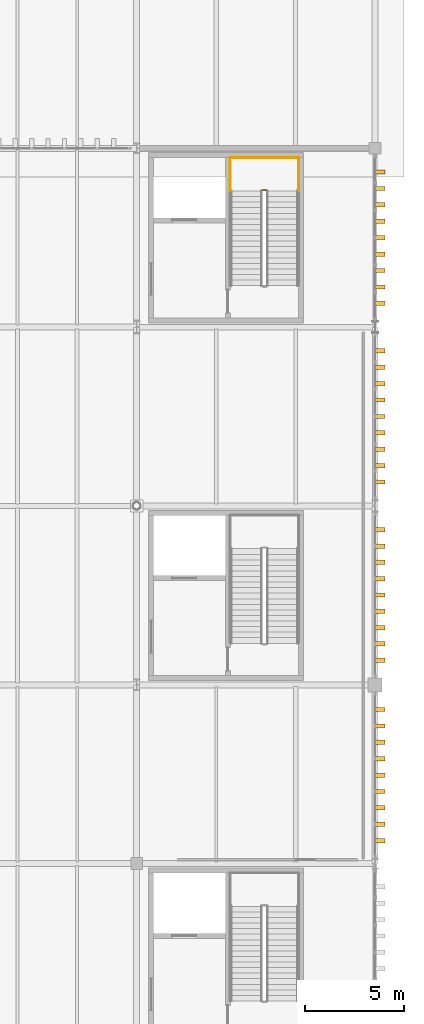
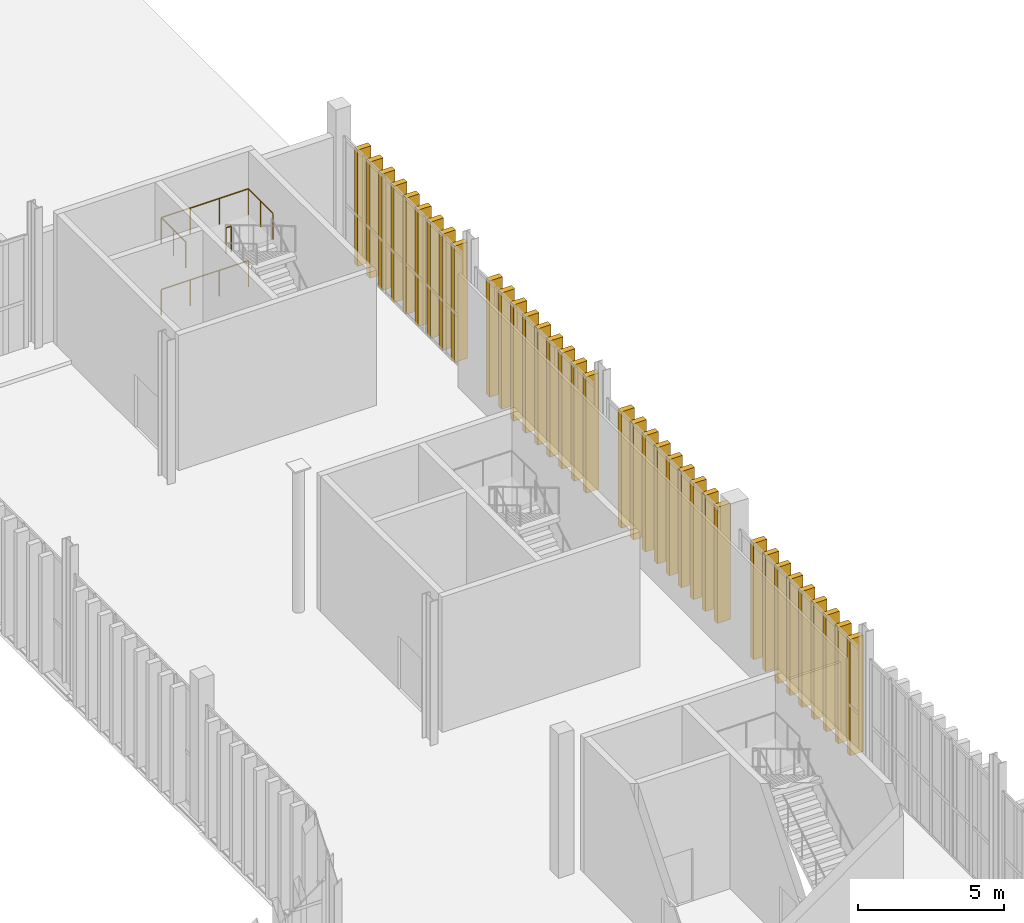
# One storey, part 234 of 237: 36 shading devices, 5 railings.
"""IFC4 building model written with IfcOpenShell, lengths in metres."""

from ifc_helpers import new_model, si_unit, direction, frame, origin, origin_2d, place, context, subcontext, project, spatial, rectangle, circle, extrude, material, type_object, element, save


model = new_model("IFC4")

# Units and contexts
model_context = context("Model", 3, precision=1e-05, world=origin(), true_north=direction((0.0, 1.0)))
body_context = subcontext(model_context, "Body", "Model", "MODEL_VIEW")
ifc_project = project(units=[si_unit("LENGTHUNIT", "METRE"), si_unit("AREAUNIT", "SQUARE_METRE"), si_unit("VOLUMEUNIT", "CUBIC_METRE"), si_unit("PLANEANGLEUNIT", "RADIAN"), si_unit("MASSUNIT", "GRAM", prefix="KILO")], contexts=[model_context])

# Site, building, storey
site_placement = place(None, origin())
site = spatial("IfcSite", under=ifc_project, at=site_placement, CompositionType="ELEMENT")
building_placement = place(site_placement, origin())
building = spatial("IfcBuilding", under=site, at=building_placement, Name="Barlavento Convention Centre", CompositionType="ELEMENT")
storey_placement = place(building_placement, frame((0.0, 0.0, 12.0)))
storey = spatial("IfcBuildingStorey", under=building, at=storey_placement, Name="L02", CompositionType="ELEMENT", Elevation=12.0)

# Railings
ifc_material_1 = material(Name="Stainless steel and laminated glass balustrade", Category="steel")
railing_type = type_object("IfcRailingType", Name="ARC-RAL-BAL-1100", PredefinedType="BALUSTRADE", material=ifc_material_1)
railing_placement = place(storey_placement, frame((186.530029296875, 96.89990234375, 3.0)))
element("IfcRailing", 1, at=railing_placement, inside=storey, type_object=railing_type, Name="L02 ST08 stair guard 2", PredefinedType="BALUSTRADE", context=body_context, shape_type="SweptSolid", body=[
    extrude(circle(Radius=0.02392578125, at=origin_2d()), frame((0.0, 0.0, 1.076171875), z_axis=(-1.0, 0.0, 0.0), x_axis=(0.0, -1.0, 0.0)), (0.0, 0.0, 1.0), 0.199951171875),
    extrude(circle(Radius=0.02099609375, at=origin_2d()), origin(), (0.0, 0.0, 1.0), 1.052001953125),
    extrude(circle(Radius=0.02099609375, at=origin_2d()), frame((-0.199951171875, 0.0, 0.0)), (0.0, 0.0, 1.0), 1.052001953125),
])
for number, where, name in (
    (2, (188.14990234375, 96.85009765625, 3.0), "L02 landing guard GR01"),
    (3, (184.7099609375, 96.85009765625, 3.0), "L02 landing guard GR01"),
):
    element("IfcRailing", number, at=place(storey_placement, frame(where)), inside=storey, type_object=railing_type, Name=name, PredefinedType="BALUSTRADE", context=body_context, shape_type="SweptSolid", body=[
        extrude(circle(Radius=0.02392578125, at=origin_2d()), frame((0.0, 0.0, 1.076171875), z_axis=(0.0, 1.0, 0.0), x_axis=(-1.0, 0.0, 0.0)), (0.0, 0.0, 1.0), 1.679931640625),
        extrude(circle(Radius=0.02099609375, at=origin_2d()), origin(), (0.0, 0.0, 1.0), 1.052001953125),
        extrude(circle(Radius=0.02099609375, at=origin_2d()), frame((0.0, 0.83984375, 0.0)), (0.0, 0.0, 1.0), 1.052001953125),
        extrude(circle(Radius=0.02099609375, at=origin_2d()), frame((0.0, 1.679931640625, 0.0)), (0.0, 0.0, 1.0), 1.052001953125),
    ])
for number, where, name in (
    (4, (188.14990234375, 98.530029296875, 3.0), "L02 landing guard GR01"),
    (5, (188.14990234375, 98.530029296875, 0.0), "L02 stairwell perimeter guard GR01"),
):
    element("IfcRailing", number, at=place(storey_placement, frame(where)), inside=storey, type_object=railing_type, Name=name, PredefinedType="BALUSTRADE", context=body_context, shape_type="SweptSolid", body=[
        extrude(circle(Radius=0.02392578125, at=origin_2d()), frame((0.0, 0.0, 1.076171875), z_axis=(-1.0, 0.0, 0.0), x_axis=(0.0, -1.0, 0.0)), (0.0, 0.0, 1.0), 3.43994140625),
        extrude(circle(Radius=0.02099609375, at=origin_2d()), origin(), (0.0, 0.0, 1.0), 1.052001953125),
        extrude(circle(Radius=0.02099609375, at=origin_2d()), frame((-1.146728515625, 0.0, 0.0)), (0.0, 0.0, 1.0), 1.052001953125),
        extrude(circle(Radius=0.02099609375, at=origin_2d()), frame((-2.293212890625, 0.0, 0.0)), (0.0, 0.0, 1.0), 1.052001953125),
        extrude(circle(Radius=0.02099609375, at=origin_2d()), frame((-3.43994140625, 0.0, 0.0)), (0.0, 0.0, 1.0), 1.052001953125),
    ])

# Shading devices
ifc_material_2 = material(Name="PVDF white extruded aluminium", Category="aluminium")
shading_device_type = type_object("IfcShadingDeviceType", Name="ARC-SHD-FIN-480", PredefinedType="USERDEFINED", material=ifc_material_2)
for number, where, z_axis, x_axis, name in (
    (6, (192.239990234375, 64.15673828125, 0.0), (0.0, 0.0, 1.0), (0.0, 1.0, 0.0), "White vertical solar shading fin VF01"),
    (7, (192.239990234375, 64.981689453125, 0.0), (0.0, 0.0, 1.0), (0.0, 1.0, 0.0), "White vertical solar shading fin VF01"),
    (8, (192.239990234375, 65.806396484375, 0.0), (0.0, 0.0, 1.0), (0.0, 1.0, 0.0), "White vertical solar shading fin VF01"),
    (9, (192.239990234375, 66.631103515625, 0.0), (0.0, 0.0, 1.0), (0.0, 1.0, 0.0), "White vertical solar shading fin VF01"),
    (10, (192.239990234375, 67.4560546875, 0.0), (0.0, 0.0, 1.0), (0.0, 1.0, 0.0), "White vertical solar shading fin VF01"),
    (11, (192.239990234375, 68.28076171875, 0.0), (0.0, 0.0, 1.0), (0.0, 1.0, 0.0), "White vertical solar shading fin VF01"),
    (12, (192.239990234375, 69.105712890625, 0.0), (0.0, 0.0, 1.0), (0.0, 1.0, 0.0), "White vertical solar shading fin VF01"),
    (13, (192.239990234375, 69.930419921875, 0.0), (0.0, 0.0, 1.0), (0.0, 1.0, 0.0), "White vertical solar shading fin VF01"),
    (14, (192.239990234375, 70.755126953125, 0.0), (0.0, 0.0, 1.0), (0.0, 1.0, 0.0), "White vertical solar shading fin VF01"),
    (15, (192.239990234375, 73.239990234375, 0.0), (0.0, 0.0, 1.0), (0.0, 1.0, 0.0), "White vertical solar shading fin VF01"),
    (16, (192.239990234375, 74.06005859375, 0.0), (0.0, 0.0, 1.0), (0.0, 1.0, 0.0), "White vertical solar shading fin VF01"),
    (17, (192.239990234375, 74.8798828125, 0.0), (0.0, 0.0, 1.0), (0.0, 1.0, 0.0), "White vertical solar shading fin VF01"),
    (18, (192.239990234375, 75.699951171875, 0.0), (0.0, 0.0, 1.0), (0.0, 1.0, 0.0), "White vertical solar shading fin VF01"),
    (19, (192.239990234375, 76.52001953125, 0.0), (0.0, 0.0, 1.0), (0.0, 1.0, 0.0), "White vertical solar shading fin VF01"),
    (20, (192.239990234375, 77.340087890625, 0.0), (0.0, 0.0, 1.0), (0.0, 1.0, 0.0), "White vertical solar shading fin VF01"),
    (21, (192.239990234375, 78.159912109375, 0.0), (0.0, 0.0, 1.0), (0.0, 1.0, 0.0), "White vertical solar shading fin VF01"),
    (22, (192.239990234375, 78.97998046875, 0.0), (0.0, 0.0, 1.0), (0.0, 1.0, 0.0), "White vertical solar shading fin VF01"),
    (23, (192.239990234375, 79.800048828125, 0.0), (0.0, 0.0, 1.0), (0.0, 1.0, 0.0), "White vertical solar shading fin VF01"),
    (24, (192.239990234375, 82.205078125, 0.0), (0.0, 0.0, 1.0), (0.0, 1.0, 0.0), "White vertical solar shading fin VF01"),
    (25, (192.239990234375, 83.030029296875, 0.0), (0.0, 0.0, 1.0), (0.0, 1.0, 0.0), "White vertical solar shading fin VF01"),
    (26, (192.239990234375, 83.85498046875, 0.0), (0.0, 0.0, 1.0), (0.0, 1.0, 0.0), "White vertical solar shading fin VF01"),
    (27, (192.239990234375, 84.679931640625, 0.0), (0.0, 0.0, 1.0), (0.0, 1.0, 0.0), "White vertical solar shading fin VF01"),
    (28, (192.239990234375, 85.5048828125, 0.0), (0.0, 0.0, 1.0), (0.0, 1.0, 0.0), "White vertical solar shading fin VF01"),
    (29, (192.239990234375, 86.330078125, 0.0), (0.0, 0.0, 1.0), (0.0, 1.0, 0.0), "White vertical solar shading fin VF01"),
    (30, (192.239990234375, 87.155029296875, 0.0), (0.0, 0.0, 1.0), (0.0, 1.0, 0.0), "White vertical solar shading fin VF01"),
    (31, (192.239990234375, 87.97998046875, 0.0), (0.0, 0.0, 1.0), (0.0, 1.0, 0.0), "White vertical solar shading fin VF01"),
    (32, (192.239990234375, 88.804931640625, 0.0), (0.0, 0.0, 1.0), (0.0, 1.0, 0.0), "White vertical solar shading fin VF01"),
    (33, (192.239990234375, 91.196044921875, 0.0), (0.0, 0.0, 1.0), (0.0, 1.0, 0.0), "White vertical solar shading fin VF01"),
    (34, (192.239990234375, 92.02197265625, 0.0), (0.0, 0.0, 1.0), (0.0, 1.0, 0.0), "White vertical solar shading fin VF01"),
    (35, (192.239990234375, 92.847900390625, 0.0), (0.0, 0.0, 1.0), (0.0, 1.0, 0.0), "White vertical solar shading fin VF01"),
    (36, (192.239990234375, 93.674072265625, 0.0), (0.0, 0.0, 1.0), (0.0, 1.0, 0.0), "White vertical solar shading fin VF01"),
    (37, (192.239990234375, 94.5, 0.0), (0.0, 0.0, 1.0), (0.0, 1.0, 0.0), "White vertical solar shading fin VF01"),
    (38, (192.239990234375, 95.325927734375, 0.0), (0.0, 0.0, 1.0), (0.0, 1.0, 0.0), "White vertical solar shading fin VF01"),
    (39, (192.239990234375, 96.152099609375, 0.0), (0.0, 0.0, 1.0), (0.0, 1.0, 0.0), "White vertical solar shading fin VF01"),
    (40, (192.239990234375, 96.97802734375, 0.0), (0.0, 0.0, 1.0), (0.0, 1.0, 0.0), "White vertical solar shading fin VF01"),
    (41, (192.239990234375, 97.803955078125, 0.0), (0.0, 0.0, 1.0), (0.0, 1.0, 0.0), "White vertical solar shading fin VF01"),
):
    element("IfcShadingDevice", number, at=place(storey_placement, frame(where, z_axis=z_axis, x_axis=x_axis)), inside=storey, type_object=shading_device_type, Name=name, ObjectType="FIN", PredefinedType="USERDEFINED", context=body_context, shape_type="SweptSolid", body=[
        extrude(rectangle(XDim=0.219970703125, YDim=0.52001953125, at=origin_2d()), origin(), (0.0, 0.0, 1.0), 4.85009765625),
    ])

save(model, "model.ifc")
